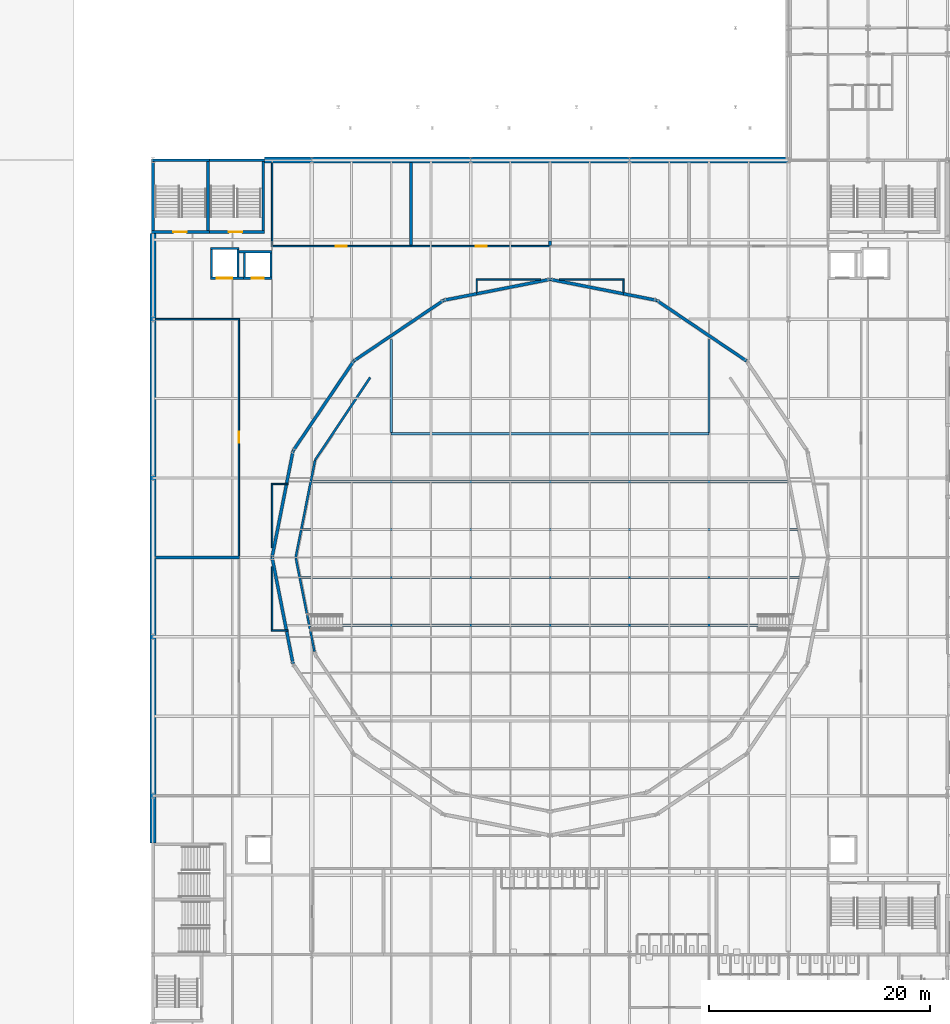
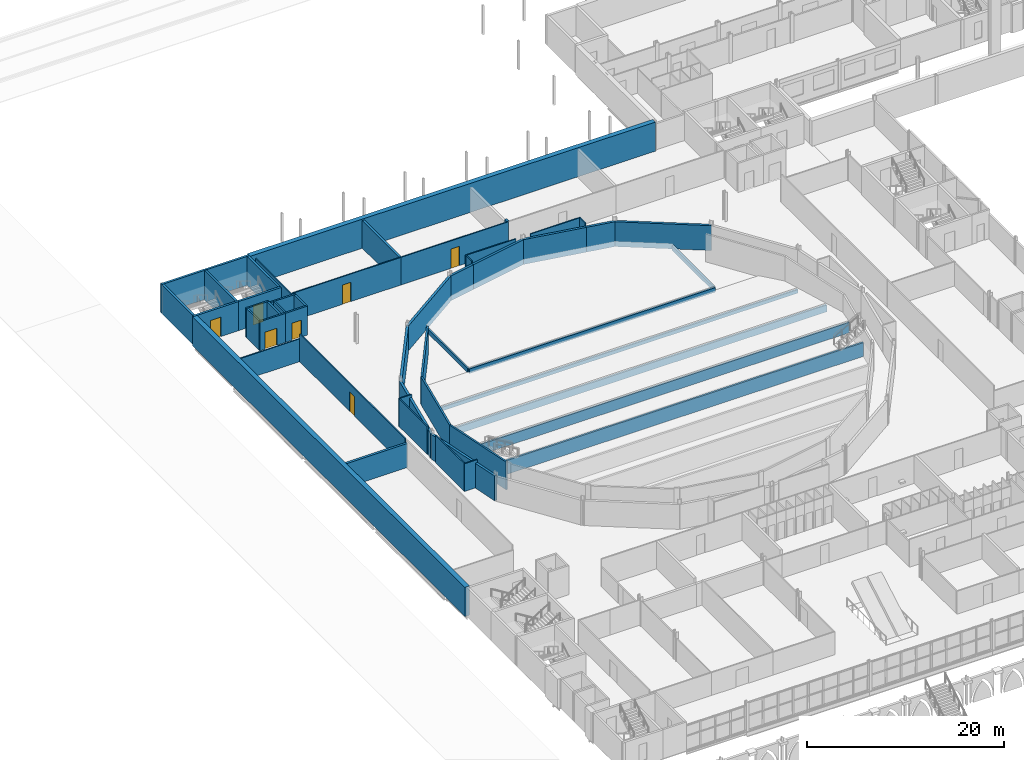
# One storey, part 51 of 90: 54 walls, 7 doors, 7 openings.
"""IFC4 building model written with IfcOpenShell, lengths in metres."""

import ifcopenshell
import ifcopenshell.guid

model = None  # the IFC model being written
_history = None  # IfcOwnerHistory: only IFC2X3 demands one
_inside = {}  # id of a spatial element -> (the spatial element, [elements in it])
_under = {}  # id of a project, library or spatial element -> (it, [spatial elements below it])
_declared = {}  # id of a project -> (the project, [libraries it declares])
_typed = {}  # id of a type object -> (the type object, [elements of that type])
_made_of = {}  # id of a material, layer set ... -> (it, [elements and type objects made of it])


def new_model(schema):
    """Start an empty IFC model of exactly this schema.

    Asked for "IFC4X3", IfcOpenShell would pick the latest addendum, in which some entities
    have other attributes; the version numbers below select the first issue.
    IFC2X3 requires an IfcOwnerHistory on every rooted entity: one is made here for all.
    """
    global model, _history
    if schema == "IFC4X3":
        model = ifcopenshell.file(schema_version=(4, 3, 0, 0))
    else:
        model = ifcopenshell.file(schema=schema)
    _inside.clear()
    _under.clear()
    _declared.clear()
    _typed.clear()
    _made_of.clear()
    _history = None
    if model.schema == "IFC2X3":
        org = make("IfcOrganization", Name="unknown")
        user = make(
            "IfcPersonAndOrganization",
            ThePerson=make("IfcPerson", FamilyName="unknown"),
            TheOrganization=org,
        )
        app = make(
            "IfcApplication",
            ApplicationDeveloper=org,
            Version="unknown",
            ApplicationFullName="unknown",
            ApplicationIdentifier="unknown",
        )
        _history = make(
            "IfcOwnerHistory",
            OwningUser=user,
            OwningApplication=app,
            ChangeAction="ADDED",
            CreationDate=0,
        )
    return model


def make(cls, **values):
    """One entity of the class cls with the attributes given. An attribute that is None is left unset."""
    return model.create_entity(
        cls, **{name: value for name, value in values.items() if value is not None}
    )


def rooted(cls, **values):
    """An entity with a GlobalId (a new one), such as an element, a storey or a relation."""
    return make(cls, GlobalId=ifcopenshell.guid.new(), OwnerHistory=_history, **values)


def si_unit(unit_type, name, prefix=None):
    """IfcSIUnit, for example si_unit("LENGTHUNIT", "METRE", prefix="MILLI")."""
    return make("IfcSIUnit", UnitType=unit_type, Prefix=prefix, Name=name)


def assignment(units):
    """IfcUnitAssignment: the units of a project."""
    return None if units is None else make("IfcUnitAssignment", Units=units)


def point(xyz):
    """IfcCartesianPoint."""
    return None if xyz is None else make("IfcCartesianPoint", Coordinates=xyz)


def direction(xyz):
    """IfcDirection."""
    return None if xyz is None else make("IfcDirection", DirectionRatios=xyz)


def frame(location, z_axis=None, x_axis=None):
    """IfcAxis2Placement3D, a coordinate frame: its origin and axes. An axis left out is left unset."""
    return make(
        "IfcAxis2Placement3D",
        Location=point(location),
        Axis=direction(z_axis),
        RefDirection=direction(x_axis),
    )


def frame_2d(location, x_axis=None):
    """IfcAxis2Placement2D, a coordinate frame in the plane: its origin and x axis."""
    return make(
        "IfcAxis2Placement2D", Location=point(location), RefDirection=direction(x_axis)
    )


def origin():
    """The frame at (0, 0, 0) with its axes left unset."""
    return frame((0.0, 0.0, 0.0))


def place(relative_to, where):
    """IfcLocalPlacement: puts the frame where relative to a parent placement (None: the world)."""
    return make(
        "IfcLocalPlacement", PlacementRelTo=relative_to, RelativePlacement=where
    )


def context(
    kind, dimensions, precision=None, world=None, true_north=None, identifier=None
):
    """IfcGeometricRepresentationContext, for example the 3D "Model" context."""
    return make(
        "IfcGeometricRepresentationContext",
        ContextIdentifier=identifier,
        ContextType=kind,
        CoordinateSpaceDimension=dimensions,
        Precision=precision,
        WorldCoordinateSystem=world,
        TrueNorth=true_north,
    )


def subcontext(parent, identifier, kind, view, scale=None):
    """IfcGeometricRepresentationSubContext, for example "Body" below "Model"."""
    return make(
        "IfcGeometricRepresentationSubContext",
        ContextIdentifier=identifier,
        ContextType=kind,
        ParentContext=parent,
        TargetScale=scale,
        TargetView=view,
    )


def project(units=None, contexts=None):
    """IfcProject with its units and contexts."""
    return rooted(
        "IfcProject",
        Name="project",
        RepresentationContexts=contexts,
        UnitsInContext=assignment(units),
    )


def spatial(cls, under=None, at=None, **own):
    """A site, building, storey or space (cls), placed at a placement, below another one or the project."""
    s = rooted(cls, ObjectPlacement=at, **own)
    if under is not None:
        _under.setdefault(under.id(), (under, []))[1].append(s)
    return s


def profile(cls, at=None, kind="AREA", **sizes):
    """A parametric profile (cls). Its sizes go by their IFC names, for example OverallWidth=200.0."""
    return make(cls, ProfileType=kind, Position=at, **sizes)


def rectangle(**sizes):
    """IfcRectangleProfileDef."""
    return profile("IfcRectangleProfileDef", **sizes)


def extrude(swept, where, along, depth):
    """IfcExtrudedAreaSolid: the profile swept, set in the frame where, extruded along a direction by depth."""
    return make(
        "IfcExtrudedAreaSolid",
        SweptArea=swept,
        Position=where,
        ExtrudedDirection=direction(along),
        Depth=depth,
    )


def shape(context_of_items, identifier, shape_type, items):
    """IfcShapeRepresentation: the items that make up one representation, for example the "Body"."""
    return make(
        "IfcShapeRepresentation",
        ContextOfItems=context_of_items,
        RepresentationIdentifier=identifier,
        RepresentationType=shape_type,
        Items=items,
    )


def material(Name=None, Category=None):
    """IfcMaterial."""
    return make("IfcMaterial", Name=Name, Category=Category)


def layer(
    of_material, thickness, ventilated=None, Name=None, Category=None, Priority=None
):
    """IfcMaterialLayer: one layer of a wall or slab, of a material (None: an air gap)."""
    return make(
        "IfcMaterialLayer",
        Material=of_material,
        LayerThickness=thickness,
        IsVentilated=ventilated,
        Name=Name,
        Category=Category,
        Priority=Priority,
    )


def layer_set(layers, Name=None):
    """IfcMaterialLayerSet."""
    return make("IfcMaterialLayerSet", MaterialLayers=layers, LayerSetName=Name)


def made_of(thing, what):
    """Note that an element or type object is made of a material, layer set ...; save() writes the relation."""
    if what is not None:
        _made_of.setdefault(what.id(), (what, []))[1].append(thing)
    return thing


def type_object(cls, material=None, **own):
    """A type object (cls), such as IfcWallType, which elements share."""
    return made_of(rooted(cls, **own), material)


def element(
    cls,
    number,
    at=None,
    inside=None,
    cuts=None,
    type_object=None,
    material=None,
    context=None,
    identifier="Body",
    shape_type=None,
    held_by="IfcProductDefinitionShape",
    body=None,
    shapes=None,
    **own,
):
    """One element of the class cls, such as IfcWall. Its Tag is "e" and its number.

    at: its placement. inside: the storey or other place that contains it. cuts: it is an
    opening in that element (IfcRelVoidsElement). A single representation is given by context,
    identifier, shape_type and body (its items); several are given by shapes. held_by: the class
    of the entity that holds the representations. save() writes the other relations.
    """
    e = rooted(cls, Tag="e%d" % number, ObjectPlacement=at, **own)
    if body is not None:
        shapes = [shape(context, identifier, shape_type, body)]
    if shapes is not None:
        e.Representation = make(held_by, Representations=shapes)
    if inside is not None:
        _inside.setdefault(inside.id(), (inside, []))[1].append(e)
    if cuts is not None:
        rooted(
            "IfcRelVoidsElement", RelatingBuildingElement=cuts, RelatedOpeningElement=e
        )
    if type_object is not None:
        _typed.setdefault(type_object.id(), (type_object, []))[1].append(e)
    return made_of(e, material)


def fill(opening, filler):
    """IfcRelFillsElement: the door or window that sits in an opening."""
    return rooted(
        "IfcRelFillsElement",
        RelatingOpeningElement=opening,
        RelatedBuildingElement=filler,
    )


def aggregate(whole, parts):
    """IfcRelAggregates: a whole, such as a stair, and the parts it consists of."""
    return rooted("IfcRelAggregates", RelatingObject=whole, RelatedObjects=parts)


def save(model, path):
    """Write the relations noted so far, then the file.

    IfcRelAggregates (storeys below a building ...), IfcRelContainedInSpatialStructure (elements
    in a storey), IfcRelDefinesByType, IfcRelAssociatesMaterial and IfcRelDeclares: one each for
    every whole, place, type object, material and project.
    """
    for whole, parts in _under.values():
        aggregate(whole, parts)
    for where, things in _inside.values():
        rooted(
            "IfcRelContainedInSpatialStructure",
            RelatedElements=things,
            RelatingStructure=where,
        )
    for kind, things in _typed.values():
        rooted("IfcRelDefinesByType", RelatedObjects=things, RelatingType=kind)
    for what, things in _made_of.values():
        rooted("IfcRelAssociatesMaterial", RelatedObjects=things, RelatingMaterial=what)
    for by, libraries in _declared.values():
        rooted("IfcRelDeclares", RelatingContext=by, RelatedDefinitions=libraries)
    model.write(path)


model = new_model("IFC4")

# Units and contexts
model_context = context("Model", 3, precision=1e-05, world=origin(), true_north=direction((0.0, 1.0)))
body_context = subcontext(model_context, "Body", "Model", "MODEL_VIEW")
ifc_project = project(units=[si_unit("LENGTHUNIT", "METRE"), si_unit("AREAUNIT", "SQUARE_METRE"), si_unit("VOLUMEUNIT", "CUBIC_METRE"), si_unit("PLANEANGLEUNIT", "RADIAN"), si_unit("MASSUNIT", "GRAM", prefix="KILO")], contexts=[model_context])

# Site, building, storey
site_placement = place(None, origin())
site = spatial("IfcSite", under=ifc_project, at=site_placement, CompositionType="ELEMENT")
building_placement = place(site_placement, origin())
building = spatial("IfcBuilding", under=site, at=building_placement, Name="Kupolbacken Congress Centre", CompositionType="ELEMENT")
storey_placement = place(building_placement, frame((0.0, 0.0, 3.60009765625)))
storey = spatial("IfcBuildingStorey", under=building, at=storey_placement, Name="L01", CompositionType="ELEMENT", Elevation=3.60009765625)

# Wall
ifc_material_1 = material(Name="Gypsum board", Category="drywall")
ifc_layer_1 = layer(ifc_material_1, 0.135009765625)
ifc_layer_set_1 = layer_set([ifc_layer_1], Name="Gypsum board")
wall_type_1 = type_object("IfcWallType", Name="P06 compartment wall 135", PredefinedType="PARTITIONING", material=ifc_layer_set_1)
wall_1_placement = place(storey_placement, frame((18.0, 122.179931640625, 0.0), z_axis=(0.0, 0.0, 1.0), x_axis=(0.0, -1.0, 0.0)))
element("IfcWall", 1, at=wall_1_placement, inside=storey, type_object=wall_type_1, Name="PD/L01/W006", PredefinedType="PARTITIONING", context=body_context, shape_type="SweptSolid", body=[
    extrude(rectangle(XDim=7.512451171875, YDim=0.135009765625, at=frame_2d((3.75634765625, 0.0))), origin(), (0.0, 0.0, 1.0), 3.119873046875),
])

# Wall, opening, door
wall_2_placement = place(storey_placement, frame((30.60009765625, 114.60009765625, 0.0), z_axis=(0.0, 0.0, 1.0), x_axis=(-1.0, 0.0, 0.0)))
wall_2 = element("IfcWall", 2, at=wall_2_placement, inside=storey, type_object=wall_type_1, Name="PD/L01/W056", PredefinedType="PARTITIONING", context=body_context, shape_type="SweptSolid", body=[
    extrude(rectangle(XDim=12.66748046875, YDim=0.135009765625, at=frame_2d((6.333740234375, 0.0))), origin(), (0.0, 0.0, 1.0), 3.419921875),
])
opening_1_placement = place(wall_2_placement, frame((5.85009765625, 0.0, 0.0)))
opening_1 = element("IfcOpeningElement", 3, at=opening_1_placement, cuts=wall_2, Name="Opening 1.P09", PredefinedType="OPENING", context=body_context, shape_type="SweptSolid", body=[
    extrude(rectangle(XDim=1.0, YDim=2.39990234375, at=frame_2d((0.5, 1.199951171875))), frame((0.0, 0.077392578125, 0.0), z_axis=(0.0, -1.0, 0.0), x_axis=(1.0, 0.0, 0.0)), (0.0, 0.0, 1.0), 0.155029296875),
])
ifc_material_2 = material(Name="Steel fire door leaf", Category="steel")
door_type_1 = type_object("IfcDoorType", Name="D8 fire door 1000x2400", OperationType="SINGLE_SWING_LEFT", PredefinedType="DOOR", material=ifc_material_2)
door_1_placement = place(opening_1_placement, frame((1.0, 0.0, 0.0), z_axis=(0.0, 0.0, 1.0), x_axis=(-1.0, 0.0, 0.0)))
door_1 = element("IfcDoor", 4, at=door_1_placement, inside=storey, type_object=door_type_1, Name="PD/L01/W056/D1P09", OperationType="SINGLE_SWING_RIGHT", OverallHeight=2.39990234375, OverallWidth=1.0, PredefinedType="DOOR", context=body_context, shape_type="SweptSolid", body=[
    extrude(rectangle(XDim=1.0, YDim=2.39990234375, at=frame_2d((0.5, 1.199951171875))), frame((0.0, 0.02490234375, 0.0), z_axis=(0.0, -1.0, 0.0), x_axis=(1.0, 0.0, 0.0)), (0.0, 0.0, 1.0), 0.050048828125),
])
fill(opening_1, door_1)

wall_3_placement = place(storey_placement, frame((43.199951171875, 114.60009765625, 0.0), z_axis=(0.0, 0.0, 1.0), x_axis=(-1.0, 0.0, 0.0)))
wall_3 = element("IfcWall", 5, at=wall_3_placement, inside=storey, type_object=wall_type_1, Name="PD/L01/W058", PredefinedType="PARTITIONING", context=body_context, shape_type="SweptSolid", body=[
    extrude(rectangle(XDim=12.599853515625, YDim=0.135009765625, at=frame_2d((6.2998046875, 0.0))), origin(), (0.0, 0.0, 1.0), 3.419921875),
])
opening_2_placement = place(wall_3_placement, frame((5.75, 0.0, 0.0)))
opening_2 = element("IfcOpeningElement", 6, at=opening_2_placement, cuts=wall_3, Name="Opening 1.P10", PredefinedType="OPENING", context=body_context, shape_type="SweptSolid", body=[
    extrude(rectangle(XDim=1.0, YDim=2.39990234375, at=frame_2d((0.5, 1.199951171875))), frame((0.0, 0.077392578125, 0.0), z_axis=(0.0, -1.0, 0.0), x_axis=(1.0, 0.0, 0.0)), (0.0, 0.0, 1.0), 0.155029296875),
])
door_2_placement = place(opening_2_placement, frame((1.0, 0.0, 0.0), z_axis=(0.0, 0.0, 1.0), x_axis=(-1.0, 0.0, 0.0)))
door_2 = element("IfcDoor", 7, at=door_2_placement, inside=storey, type_object=door_type_1, Name="PD/L01/W058/D1P10", OperationType="SINGLE_SWING_LEFT", OverallHeight=2.39990234375, OverallWidth=1.0, PredefinedType="DOOR", context=body_context, shape_type="SweptSolid", body=[
    extrude(rectangle(XDim=1.0, YDim=2.39990234375, at=frame_2d((0.5, 1.199951171875))), frame((0.0, 0.02490234375, 0.0), z_axis=(0.0, -1.0, 0.0), x_axis=(1.0, 0.0, 0.0)), (0.0, 0.0, 1.0), 0.050048828125),
])
fill(opening_2, door_2)

# Wall
wall_4_placement = place(storey_placement, frame((7.419921875, 108.0, 0.0), z_axis=(0.0, 0.0, 1.0), x_axis=(1.0, 0.0, 0.0)))
element("IfcWall", 8, at=wall_4_placement, inside=storey, type_object=wall_type_1, Name="PD/L01/W065", PredefinedType="PARTITIONING", context=body_context, shape_type="SweptSolid", body=[
    extrude(rectangle(XDim=7.6474609375, YDim=0.135009765625, at=frame_2d((3.82373046875, 0.0))), origin(), (0.0, 0.0, 1.0), 2.81982421875),
])

# Wall, opening, door
wall_5_placement = place(storey_placement, frame((15.0, 107.9326171875, 0.0), z_axis=(0.0, 0.0, 1.0), x_axis=(0.0, -1.0, 0.0)))
wall_5 = element("IfcWall", 9, at=wall_5_placement, inside=storey, type_object=wall_type_1, Name="PD/L01/W066", PredefinedType="PARTITIONING", context=body_context, shape_type="SweptSolid", body=[
    extrude(rectangle(XDim=21.39501953125, YDim=0.135009765625, at=frame_2d((10.697509765625, 0.0))), origin(), (0.0, 0.0, 1.0), 3.419921875),
])
opening_3_placement = place(wall_5_placement, frame((10.14990234375, 0.0, 0.0)))
opening_3 = element("IfcOpeningElement", 10, at=opening_3_placement, cuts=wall_5, Name="Opening 1.P14", PredefinedType="OPENING", context=body_context, shape_type="SweptSolid", body=[
    extrude(rectangle(XDim=1.0, YDim=2.39990234375, at=frame_2d((0.5, 1.199951171875))), frame((0.0, 0.077392578125, 0.0), z_axis=(0.0, -1.0, 0.0), x_axis=(1.0, 0.0, 0.0)), (0.0, 0.0, 1.0), 0.155029296875),
])
door_3_placement = place(opening_3_placement, origin())
door_3 = element("IfcDoor", 11, at=door_3_placement, inside=storey, type_object=door_type_1, Name="PD/L01/W066/D1P14", OperationType="SINGLE_SWING_RIGHT", OverallHeight=2.39990234375, OverallWidth=1.0, PredefinedType="DOOR", context=body_context, shape_type="SweptSolid", body=[
    extrude(rectangle(XDim=1.0, YDim=2.39990234375, at=frame_2d((0.5, 1.199951171875))), frame((0.0, 0.02490234375, 0.0), z_axis=(0.0, -1.0, 0.0), x_axis=(1.0, 0.0, 0.0)), (0.0, 0.0, 1.0), 0.050048828125),
])
fill(opening_3, door_3)

# Walls
wall_6_placement = place(storey_placement, frame((18.0, 85.550048828125, 0.0), z_axis=(0.0, 0.0, 1.0), x_axis=(0.0, -1.0, 0.0)))
element("IfcWall", 12, at=wall_6_placement, inside=storey, type_object=wall_type_1, Name="PD/L01/W082", PredefinedType="PARTITIONING", context=body_context, shape_type="SweptSolid", body=[
    extrude(rectangle(XDim=5.732666015625, YDim=0.135009765625, at=frame_2d((2.8662109375, 0.0))), origin(), (0.0, 0.0, 1.0), 3.419921875),
])
wall_7_placement = place(storey_placement, frame((18.0, 92.982421875, 0.0), z_axis=(0.0, 0.0, 1.0), x_axis=(0.0, -1.0, 0.0)))
element("IfcWall", 13, at=wall_7_placement, inside=storey, type_object=wall_type_1, Name="PD/L01/W083", PredefinedType="PARTITIONING", context=body_context, shape_type="SweptSolid", body=[
    extrude(rectangle(XDim=5.732421875, YDim=0.135009765625, at=frame_2d((2.8662109375, 0.0))), origin(), (0.0, 0.0, 1.0), 3.419921875),
])
wall_8_placement = place(storey_placement, frame((42.35009765625, 111.60009765625, 0.0), z_axis=(0.0, 0.0, 1.0), x_axis=(-1.0, 0.0, 0.0)))
element("IfcWall", 14, at=wall_8_placement, inside=storey, type_object=wall_type_1, Name="PD/L01/W084", PredefinedType="PARTITIONING", context=body_context, shape_type="SweptSolid", body=[
    extrude(rectangle(XDim=5.86767578125, YDim=0.135009765625, at=frame_2d((2.933837890625, 0.0))), origin(), (0.0, 0.0, 1.0), 3.419921875),
])
wall_9_placement = place(storey_placement, frame((49.91748046875, 111.60009765625, 0.0), z_axis=(0.0, 0.0, 1.0), x_axis=(-1.0, 0.0, 0.0)))
element("IfcWall", 15, at=wall_9_placement, inside=storey, type_object=wall_type_1, Name="PD/L01/W085", PredefinedType="PARTITIONING", context=body_context, shape_type="SweptSolid", body=[
    extrude(rectangle(XDim=5.867431640625, YDim=0.135009765625, at=frame_2d((2.93359375, 0.0))), origin(), (0.0, 0.0, 1.0), 3.419921875),
])
wall_10_placement = place(storey_placement, frame((17.9326171875, 79.75, 0.0), z_axis=(0.0, 0.0, 1.0), x_axis=(1.0, 0.0, 0.0)))
element("IfcWall", 16, at=wall_10_placement, inside=storey, type_object=wall_type_1, Name="PD/L01/W091", PredefinedType="PARTITIONING", context=body_context, shape_type="SweptSolid", body=[
    extrude(rectangle(XDim=1.51416015625, YDim=0.135009765625, at=frame_2d((0.757080078125, 0.0))), origin(), (0.0, 0.0, 1.0), 3.419921875),
])
wall_11_placement = place(storey_placement, frame((36.550048828125, 111.532470703125, 0.0), z_axis=(0.0, 0.0, 1.0), x_axis=(0.0, -1.0, 0.0)))
element("IfcWall", 17, at=wall_11_placement, inside=storey, type_object=wall_type_1, Name="PD/L01/W106", PredefinedType="PARTITIONING", context=body_context, shape_type="SweptSolid", body=[
    extrude(rectangle(XDim=1.104248046875, YDim=0.135009765625, at=frame_2d((0.55224609375, 0.0))), origin(), (0.0, 0.0, 1.0), 3.419921875),
])
wall_12_placement = place(storey_placement, frame((19.44677734375, 93.050048828125, 0.0), z_axis=(0.0, 0.0, 1.0), x_axis=(-1.0, 0.0, 0.0)))
element("IfcWall", 18, at=wall_12_placement, inside=storey, type_object=wall_type_1, Name="PD/L01/W107", PredefinedType="PARTITIONING", context=body_context, shape_type="SweptSolid", body=[
    extrude(rectangle(XDim=1.51416015625, YDim=0.135009765625, at=frame_2d((0.757080078125, 0.0))), origin(), (0.0, 0.0, 1.0), 3.419921875),
])
wall_13_placement = place(storey_placement, frame((49.85009765625, 110.42822265625, 0.0), z_axis=(0.0, 0.0, 1.0), x_axis=(0.0, 1.0, 0.0)))
element("IfcWall", 19, at=wall_13_placement, inside=storey, type_object=wall_type_1, Name="PD/L01/W115", PredefinedType="PARTITIONING", context=body_context, shape_type="SweptSolid", body=[
    extrude(rectangle(XDim=1.104248046875, YDim=0.135009765625, at=frame_2d((0.55224609375, 0.0))), origin(), (0.0, 0.0, 1.0), 3.419921875),
])
ifc_material_3 = material(Name="Gypsum board", Category="drywall")
ifc_layer_2 = layer(ifc_material_3, 0.27490234375)
ifc_layer_set_2 = layer_set([ifc_layer_2], Name="Gypsum board")
wall_type_2 = type_object("IfcWallType", Name="P12 partition 275", PredefinedType="PARTITIONING", material=ifc_layer_set_2)
wall_14_placement = place(storey_placement, frame((30.60009765625, 122.179931640625, 0.0), z_axis=(0.0, 0.0, 1.0), x_axis=(0.0, -1.0, 0.0)))
element("IfcWall", 20, at=wall_14_placement, inside=storey, type_object=wall_type_2, Name="PD/L01/W055", PredefinedType="PARTITIONING", context=body_context, shape_type="SweptSolid", body=[
    extrude(rectangle(XDim=7.512451171875, YDim=0.27490234375, at=frame_2d((3.75634765625, 0.0))), origin(), (0.0, 0.0, 1.0), 3.419921875),
])
wall_15_placement = place(storey_placement, frame((7.419921875, 86.39990234375, 0.0), z_axis=(0.0, 0.0, 1.0), x_axis=(1.0, 0.0, 0.0)))
element("IfcWall", 21, at=wall_15_placement, inside=storey, type_object=wall_type_2, Name="PD/L01/W062", PredefinedType="PARTITIONING", context=body_context, shape_type="SweptSolid", body=[
    extrude(rectangle(XDim=7.6474609375, YDim=0.27490234375, at=frame_2d((3.82373046875, 0.0))), origin(), (0.0, 0.0, 1.0), 2.969970703125),
])
wall_16_placement = place(storey_placement, frame((19.322265625, 79.683837890625, 0.0), z_axis=(0.0, 0.0, 1.0), x_axis=(0.193179069745, -0.98116351696, 0.0)))
element("IfcWall", 22, at=wall_16_placement, inside=storey, type_object=wall_type_2, Name="PD/L01/W093", PredefinedType="PARTITIONING", context=body_context, shape_type="SweptSolid", body=[
    extrude(rectangle(XDim=2.990234375, YDim=0.27490234375, at=frame_2d((1.4951171875, 0.0))), origin(), (0.0, 0.0, 1.0), 3.06982421875),
])
wall_17_placement = place(storey_placement, frame((18.0, 86.39990234375, 0.0), z_axis=(0.0, 0.0, 1.0), x_axis=(0.193197572226, -0.981159873867, 0.0)))
element("IfcWall", 23, at=wall_17_placement, inside=storey, type_object=wall_type_2, Name="PD/L01/W097", PredefinedType="PARTITIONING", context=body_context, shape_type="SweptSolid", body=[
    extrude(rectangle(XDim=6.710205078125, YDim=0.27490234375, at=frame_2d((3.35498046875, 0.0))), origin(), (0.0, 0.0, 1.0), 3.06982421875),
])
wall_18_placement = place(storey_placement, frame((19.89990234375, 96.050048828125, 0.0), z_axis=(0.0, 0.0, 1.0), x_axis=(-0.193179069745, -0.98116351696, 0.0)))
element("IfcWall", 24, at=wall_18_placement, inside=storey, type_object=wall_type_2, Name="PD/L01/W108", PredefinedType="PARTITIONING", context=body_context, shape_type="SweptSolid", body=[
    extrude(rectangle(XDim=2.990234375, YDim=0.27490234375, at=frame_2d((1.4951171875, 0.0))), origin(), (0.0, 0.0, 1.0), 3.06982421875),
])
wall_19_placement = place(storey_placement, frame((36.550048828125, 110.290771484375, 0.0), z_axis=(0.0, 0.0, 1.0), x_axis=(-0.981153778086, -0.19322852726, 0.0)))
element("IfcWall", 25, at=wall_19_placement, inside=storey, type_object=wall_type_2, Name="PD/L01/W109", PredefinedType="PARTITIONING", context=body_context, shape_type="SweptSolid", body=[
    extrude(rectangle(XDim=3.0576171875, YDim=0.27490234375, at=frame_2d((1.52880859375, 0.0))), origin(), (0.0, 0.0, 1.0), 3.06982421875),
])
wall_20_placement = place(storey_placement, frame((33.550048828125, 109.699951171875, 0.0), z_axis=(0.0, 0.0, 1.0), x_axis=(-0.828912285216, -0.559378604719, 0.0)))
element("IfcWall", 26, at=wall_20_placement, inside=storey, type_object=wall_type_2, Name="PD/L01/W110", PredefinedType="PARTITIONING", context=body_context, shape_type="SweptSolid", body=[
    extrude(rectangle(XDim=9.832275390625, YDim=0.27490234375, at=frame_2d((4.916015625, 0.0))), origin(), (0.0, 0.0, 1.0), 3.06982421875),
])
wall_21_placement = place(storey_placement, frame((25.39990234375, 104.199951171875, 0.0), z_axis=(0.0, 0.0, 1.0), x_axis=(-0.559390118145, -0.828904515443, 0.0)))
element("IfcWall", 27, at=wall_21_placement, inside=storey, type_object=wall_type_2, Name="PD/L01/W111", PredefinedType="PARTITIONING", context=body_context, shape_type="SweptSolid", body=[
    extrude(rectangle(XDim=9.83203125, YDim=0.27490234375, at=frame_2d((4.916015625, 0.0))), origin(), (0.0, 0.0, 1.0), 3.06982421875),
])
wall_22_placement = place(storey_placement, frame((43.199951171875, 111.60009765625, 0.0), z_axis=(0.0, 0.0, 1.0), x_axis=(-0.981162344826, -0.193185022957, 0.0)))
element("IfcWall", 28, at=wall_22_placement, inside=storey, type_object=wall_type_2, Name="PD/L01/W112", PredefinedType="PARTITIONING", context=body_context, shape_type="SweptSolid", body=[
    extrude(rectangle(XDim=6.777587890625, YDim=0.27490234375, at=frame_2d((3.388671875, 0.0))), origin(), (0.0, 0.0, 1.0), 3.06982421875),
])
wall_23_placement = place(storey_placement, frame((19.29638671875, 92.98388671875, 0.0), z_axis=(0.0, 0.0, 1.0), x_axis=(-0.193190675653, -0.981161231827, 0.0)))
element("IfcWall", 29, at=wall_23_placement, inside=storey, type_object=wall_type_2, Name="PD/L01/W113", PredefinedType="PARTITIONING", context=body_context, shape_type="SweptSolid", body=[
    extrude(rectangle(XDim=6.71044921875, YDim=0.27490234375, at=frame_2d((3.355224609375, 0.0))), origin(), (0.0, 0.0, 1.0), 3.06982421875),
])
wall_24_placement = place(storey_placement, frame((61.0, 104.199951171875, 0.0), z_axis=(0.0, 0.0, 1.0), x_axis=(-0.828904515443, 0.559390118145, 0.0)))
element("IfcWall", 30, at=wall_24_placement, inside=storey, type_object=wall_type_2, Name="PD/L01/W116", PredefinedType="PARTITIONING", context=body_context, shape_type="SweptSolid", body=[
    extrude(rectangle(XDim=9.83203125, YDim=0.27490234375, at=frame_2d((4.916015625, 0.0))), origin(), (0.0, 0.0, 1.0), 3.06982421875),
])
wall_25_placement = place(storey_placement, frame((52.85009765625, 109.699951171875, 0.0), z_axis=(0.0, 0.0, 1.0), x_axis=(-0.981153778086, 0.19322852726, 0.0)))
element("IfcWall", 31, at=wall_25_placement, inside=storey, type_object=wall_type_2, Name="PD/L01/W117", PredefinedType="PARTITIONING", context=body_context, shape_type="SweptSolid", body=[
    extrude(rectangle(XDim=3.0576171875, YDim=0.27490234375, at=frame_2d((1.52880859375, 0.0))), origin(), (0.0, 0.0, 1.0), 3.06982421875),
])
wall_26_placement = place(storey_placement, frame((49.85009765625, 110.290771484375, 0.0), z_axis=(0.0, 0.0, 1.0), x_axis=(-0.981163689106, 0.193178195406, 0.0)))
element("IfcWall", 32, at=wall_26_placement, inside=storey, type_object=wall_type_2, Name="PD/L01/W121", PredefinedType="PARTITIONING", context=body_context, shape_type="SweptSolid", body=[
    extrude(rectangle(XDim=6.77783203125, YDim=0.27490234375, at=frame_2d((3.388916015625, 0.0))), origin(), (0.0, 0.0, 1.0), 3.06982421875),
])
wall_27_placement = place(storey_placement, frame((43.199951171875, 115.090087890625, 0.0), z_axis=(0.0, 0.0, 1.0), x_axis=(0.0, -1.0, 0.0)))
element("IfcWall", 33, at=wall_27_placement, inside=storey, type_object=wall_type_2, Name="PD/L01/W057.h1", PredefinedType="PARTITIONING", context=body_context, shape_type="SweptSolid", body=[
    extrude(rectangle(XDim=0.422607421875, YDim=0.27490234375, at=frame_2d((0.21142578125, 0.0))), origin(), (0.0, 0.0, 1.0), 3.419921875),
])
ifc_material_4 = material(Name="Concrete C30/37", Category="concrete")
ifc_layer_3 = layer(ifc_material_4, 0.550048828125)
ifc_layer_set_3 = layer_set([ifc_layer_3], Name="Concrete C30/37")
wall_type_3 = type_object("IfcWallType", Name="RW3 retaining wall 550", PredefinedType="SOLIDWALL", material=ifc_layer_set_3)
wall_28_placement = place(storey_placement, frame((17.324951171875, 122.39990234375, 0.0), z_axis=(0.0, 0.0, 1.0), x_axis=(1.0, 0.0, 0.0)))
element("IfcWall", 34, at=wall_28_placement, inside=storey, type_object=wall_type_3, Name="Retaining wall BF07 L01", PredefinedType="SOLIDWALL", context=body_context, shape_type="SweptSolid", body=[
    extrude(rectangle(XDim=47.47509765625, YDim=0.550048828125, at=frame_2d((23.737548828125, 0.0))), origin(), (0.0, 0.0, 1.0), 3.599853515625),
])
wall_29_placement = place(storey_placement, frame((7.199951171875, 60.52490234375, 0.0), z_axis=(0.0, 0.0, 1.0), x_axis=(0.0, 1.0, 0.0)))
element("IfcWall", 35, at=wall_29_placement, inside=storey, type_object=wall_type_3, Name="Retaining wall BF08 L01", PredefinedType="SOLIDWALL", context=body_context, shape_type="SweptSolid", body=[
    extrude(rectangle(XDim=55.25, YDim=0.550048828125, at=frame_2d((27.625, 0.0))), origin(), (0.0, 0.0, 1.0), 3.599853515625),
])
ifc_material_5 = material(Name="Concrete C40/50", Category="concrete")
ifc_layer_4 = layer(ifc_material_5, 0.199951171875)
ifc_layer_set_4 = layer_set([ifc_layer_4], Name="Concrete C40/50")
wall_type_4 = type_object("IfcWallType", Name="TW1 RC tier wall 200", PredefinedType="SOLIDWALL", material=ifc_layer_set_4)
wall_30_placement = place(storey_placement, frame((26.89501953125, 102.705078125, 0.0), z_axis=(0.0, 0.0, 1.0), x_axis=(-0.555564045645, -0.83147374654, 0.0)))
element("IfcWall", 36, at=wall_30_placement, inside=storey, type_object=wall_type_4, Name="PD/L01/ringwall/1350", PredefinedType="SOLIDWALL", context=body_context, shape_type="SweptSolid", body=[
    extrude(rectangle(XDim=8.997314453125, YDim=0.199951171875, at=frame_2d((4.49853515625, 0.0))), origin(), (0.0, 0.0, 1.0), 3.431884765625),
])
wall_31_placement = place(storey_placement, frame((21.896484375, 95.22412109375, 0.0), z_axis=(0.0, 0.0, 1.0), x_axis=(-0.195103670716, -0.980782625087, 0.0)))
element("IfcWall", 37, at=wall_31_placement, inside=storey, type_object=wall_type_4, Name="PD/L01/ringwall/1575", PredefinedType="SOLIDWALL", context=body_context, shape_type="SweptSolid", body=[
    extrude(rectangle(XDim=8.9970703125, YDim=0.199951171875, at=frame_2d((4.49853515625, 0.0))), origin(), (0.0, 0.0, 1.0), 3.431884765625),
])
wall_32_placement = place(storey_placement, frame((20.14111328125, 86.39990234375, 0.0), z_axis=(0.0, 0.0, 1.0), x_axis=(0.195081260767, -0.980787082754, 0.0)))
element("IfcWall", 38, at=wall_32_placement, inside=storey, type_object=wall_type_4, Name="PD/L01/ringwall/1800", PredefinedType="SOLIDWALL", context=body_context, shape_type="SweptSolid", body=[
    extrude(rectangle(XDim=8.711669921875, YDim=0.199951171875, at=frame_2d((4.35595703125, 0.0))), origin(), (0.0, 0.0, 1.0), 3.431884765625),
])
wall_33_placement = place(storey_placement, frame((21.61767578125, 93.261962890625, 0.0), z_axis=(0.0, 0.0, 1.0), x_axis=(1.0, 0.0, 0.0)))
element("IfcWall", 39, at=wall_33_placement, inside=storey, type_object=wall_type_4, Name="PD/L01/tier/wall1/1", PredefinedType="SOLIDWALL", context=body_context, shape_type="SweptSolid", body=[
    extrude(rectangle(XDim=43.16455078125, YDim=0.199951171875, at=frame_2d((21.582275390625, 0.0))), origin(), (0.0, 0.0, 1.0), 0.438232421875),
])
wall_34_placement = place(storey_placement, frame((20.755126953125, 88.925048828125, 0.0), z_axis=(0.0, 0.0, 1.0), x_axis=(1.0, 0.0, 0.0)))
element("IfcWall", 40, at=wall_34_placement, inside=storey, type_object=wall_type_4, Name="PD/L01/tier/wall2/1", PredefinedType="SOLIDWALL", context=body_context, shape_type="SweptSolid", body=[
    extrude(rectangle(XDim=44.889892578125, YDim=0.199951171875, at=frame_2d((22.44482421875, 0.0))), origin(), (0.0, 0.0, 1.0), 0.864501953125),
])
wall_35_placement = place(storey_placement, frame((20.613525390625, 84.5869140625, 0.0), z_axis=(0.0, 0.0, 1.0), x_axis=(1.0, 0.0, 0.0)))
element("IfcWall", 41, at=wall_35_placement, inside=storey, type_object=wall_type_4, Name="PD/L01/tier/wall3/1", PredefinedType="SOLIDWALL", context=body_context, shape_type="SweptSolid", body=[
    extrude(rectangle(XDim=45.173095703125, YDim=0.199951171875, at=frame_2d((22.58642578125, 0.0))), origin(), (0.0, 0.0, 1.0), 1.290771484375),
])
wall_36_placement = place(storey_placement, frame((21.47607421875, 80.25, 0.0), z_axis=(0.0, 0.0, 1.0), x_axis=(1.0, 0.0, 0.0)))
element("IfcWall", 42, at=wall_36_placement, inside=storey, type_object=wall_type_4, Name="PD/L01/tier/wall4/1", PredefinedType="SOLIDWALL", context=body_context, shape_type="SweptSolid", body=[
    extrude(rectangle(XDim=43.44775390625, YDim=0.199951171875, at=frame_2d((21.723876953125, 0.0))), origin(), (0.0, 0.0, 1.0), 1.716796875),
])
wall_37_placement = place(storey_placement, frame((28.800048828125, 97.60009765625, 0.0), z_axis=(0.0, 0.0, 1.0), x_axis=(1.0, 0.0, 0.0)))
element("IfcWall", 43, at=wall_37_placement, inside=storey, type_object=wall_type_4, Name="PD/L01/stage/front", PredefinedType="SOLIDWALL", context=body_context, shape_type="SweptSolid", body=[
    extrude(rectangle(XDim=28.800048828125, YDim=0.199951171875, at=frame_2d((14.39990234375, 0.0))), origin(), (0.0, 0.0, 1.0), 0.552001953125),
])
for number, where, z_axis, x_axis, name in (
    (44, (28.800048828125, 97.699951171875, 0.0), (0.0, 0.0, 1.0), (0.0, 1.0, 0.0), "PD/L01/stage/w"),
    (45, (57.60009765625, 97.699951171875, 0.0), (0.0, 0.0, 1.0), (0.0, 1.0, 0.0), "PD/L01/stage/e"),
):
    element("IfcWall", number, at=place(storey_placement, frame(where, z_axis=z_axis, x_axis=x_axis)), inside=storey, type_object=wall_type_4, Name=name, PredefinedType="SOLIDWALL", context=body_context, shape_type="SweptSolid", body=[
        extrude(rectangle(XDim=8.451416015625, YDim=0.199951171875, at=frame_2d((4.2255859375, 0.0))), origin(), (0.0, 0.0, 1.0), 0.552001953125),
    ])

# Wall, opening, door
ifc_material_6 = material(Name="Concrete C40/50", Category="concrete")
ifc_layer_5 = layer(ifc_material_6, 0.199951171875)
ifc_layer_set_5 = layer_set([ifc_layer_5], Name="Concrete C40/50")
wall_type_5 = type_object("IfcWallType", Name="WC1 RC shaft wall 200", PredefinedType="SHEAR", material=ifc_layer_set_5)
wall_38_placement = place(storey_placement, frame((15.39990234375, 111.699951171875, 0.0), z_axis=(0.0, 0.0, 1.0), x_axis=(1.0, 0.0, 0.0)))
wall_38 = element("IfcWall", 46, at=wall_38_placement, inside=storey, type_object=wall_type_5, Name="Shaft wall LP7", PredefinedType="SHEAR", context=body_context, shape_type="SweptSolid", body=[
    extrude(rectangle(XDim=2.60009765625, YDim=0.199951171875, at=frame_2d((1.300048828125, 0.0))), origin(), (0.0, 0.0, 1.0), 3.599853515625),
])
opening_4_placement = place(wall_38_placement, frame((0.75, 0.0, 0.0)))
opening_4 = element("IfcOpeningElement", 47, at=opening_4_placement, cuts=wall_38, Name="Opening LD2", PredefinedType="OPENING", context=body_context, shape_type="SweptSolid", body=[
    extrude(rectangle(XDim=1.10009765625, YDim=2.10009765625, at=frame_2d((0.550048828125, 1.050048828125))), frame((0.0, 0.10986328125, 0.0), z_axis=(0.0, -1.0, 0.0), x_axis=(1.0, 0.0, 0.0)), (0.0, 0.0, 1.0), 0.219970703125),
])
ifc_material_7 = material(Name="Stainless steel door leaf", Category="steel")
door_type_2 = type_object("IfcDoorType", Name="LD2 lift landing door 1100x2100", OperationType="SLIDING_TO_LEFT", PredefinedType="DOOR", material=ifc_material_7)
door_4_placement = place(opening_4_placement, origin())
door_4 = element("IfcDoor", 48, at=door_4_placement, inside=storey, type_object=door_type_2, Name="Lift landing door LP7", OperationType="SLIDING_TO_LEFT", OverallHeight=2.10009765625, OverallWidth=1.10009765625, PredefinedType="DOOR", context=body_context, shape_type="SweptSolid", body=[
    extrude(rectangle(XDim=1.10009765625, YDim=2.10009765625, at=frame_2d((0.550048828125, 1.050048828125))), frame((0.0, 0.02490234375, 0.0), z_axis=(0.0, -1.0, 0.0), x_axis=(1.0, 0.0, 0.0)), (0.0, 0.0, 1.0), 0.050048828125),
])
fill(opening_4, door_4)

# Walls
wall_39_placement = place(storey_placement, frame((15.0, 114.10009765625, 0.0), z_axis=(0.0, 0.0, 1.0), x_axis=(1.0, 0.0, 0.0)))
element("IfcWall", 49, at=wall_39_placement, inside=storey, type_object=wall_type_5, Name="Shaft wall LP7", PredefinedType="SHEAR", context=body_context, shape_type="SweptSolid", body=[
    extrude(rectangle(XDim=3.0, YDim=0.199951171875, at=frame_2d((1.5, 0.0))), origin(), (0.0, 0.0, 1.0), 3.599853515625),
])
for number, where, z_axis, x_axis, name in (
    (50, (15.5, 111.800048828125, 0.0), (0.0, 0.0, 1.0), (0.0, 1.0, 0.0), "Shaft wall LP7"),
    (51, (17.89990234375, 111.800048828125, 0.0), (0.0, 0.0, 1.0), (0.0, 1.0, 0.0), "Shaft wall LP7"),
):
    element("IfcWall", number, at=place(storey_placement, frame(where, z_axis=z_axis, x_axis=x_axis)), inside=storey, type_object=wall_type_5, Name=name, PredefinedType="SHEAR", context=body_context, shape_type="SweptSolid", body=[
        extrude(rectangle(XDim=2.199951171875, YDim=0.199951171875, at=frame_2d((1.10009765625, 0.0))), origin(), (0.0, 0.0, 1.0), 3.599853515625),
    ])

# Wall, opening, door
wall_40_placement = place(storey_placement, frame((12.39990234375, 111.699951171875, 0.0), z_axis=(0.0, 0.0, 1.0), x_axis=(1.0, 0.0, 0.0)))
wall_40 = element("IfcWall", 52, at=wall_40_placement, inside=storey, type_object=wall_type_5, Name="Shaft wall LG1", PredefinedType="SHEAR", context=body_context, shape_type="SweptSolid", body=[
    extrude(rectangle(XDim=3.0, YDim=0.199951171875, at=frame_2d((1.5, 0.0))), origin(), (0.0, 0.0, 1.0), 3.599853515625),
])
opening_5_placement = place(wall_40_placement, frame((0.60009765625, 0.0, 0.0)))
opening_5 = element("IfcOpeningElement", 53, at=opening_5_placement, cuts=wall_40, Name="Opening LD3", PredefinedType="OPENING", context=body_context, shape_type="SweptSolid", body=[
    extrude(rectangle(XDim=1.39990234375, YDim=2.10009765625, at=frame_2d((0.699951171875, 1.050048828125))), frame((0.0, 0.10986328125, 0.0), z_axis=(0.0, -1.0, 0.0), x_axis=(1.0, 0.0, 0.0)), (0.0, 0.0, 1.0), 0.219970703125),
])
ifc_material_8 = material(Name="Stainless steel door leaf", Category="steel")
door_type_3 = type_object("IfcDoorType", Name="LD3 lift landing door 1400x2100", OperationType="SLIDING_TO_LEFT", PredefinedType="DOOR", material=ifc_material_8)
door_5_placement = place(opening_5_placement, origin())
door_5 = element("IfcDoor", 54, at=door_5_placement, inside=storey, type_object=door_type_3, Name="Lift landing door LG1", OperationType="SLIDING_TO_LEFT", OverallHeight=2.10009765625, OverallWidth=1.39990234375, PredefinedType="DOOR", context=body_context, shape_type="SweptSolid", body=[
    extrude(rectangle(XDim=1.39990234375, YDim=2.10009765625, at=frame_2d((0.699951171875, 1.050048828125))), frame((0.0, 0.02490234375, 0.0), z_axis=(0.0, -1.0, 0.0), x_axis=(1.0, 0.0, 0.0)), (0.0, 0.0, 1.0), 0.050048828125),
])
fill(opening_5, door_5)

# Walls
wall_41_placement = place(storey_placement, frame((12.39990234375, 114.39990234375, 0.0), z_axis=(0.0, 0.0, 1.0), x_axis=(1.0, 0.0, 0.0)))
element("IfcWall", 55, at=wall_41_placement, inside=storey, type_object=wall_type_5, Name="Shaft wall LG1", PredefinedType="SHEAR", context=body_context, shape_type="SweptSolid", body=[
    extrude(rectangle(XDim=2.60009765625, YDim=0.199951171875, at=frame_2d((1.300048828125, 0.0))), origin(), (0.0, 0.0, 1.0), 3.599853515625),
])
for number, where, z_axis, x_axis, name in (
    (56, (12.5, 111.800048828125, 0.0), (0.0, 0.0, 1.0), (0.0, 1.0, 0.0), "Shaft wall LG1"),
    (57, (14.89990234375, 111.800048828125, 0.0), (0.0, 0.0, 1.0), (0.0, 1.0, 0.0), "Shaft wall LG1"),
):
    element("IfcWall", number, at=place(storey_placement, frame(where, z_axis=z_axis, x_axis=x_axis)), inside=storey, type_object=wall_type_5, Name=name, PredefinedType="SHEAR", context=body_context, shape_type="SweptSolid", body=[
        extrude(rectangle(XDim=2.5, YDim=0.199951171875, at=frame_2d((1.25, 0.0))), origin(), (0.0, 0.0, 1.0), 3.599853515625),
    ])

# Wall, opening, door
ifc_material_9 = material(Name="Concrete C40/50", Category="concrete")
ifc_layer_6 = layer(ifc_material_9, 0.25)
ifc_layer_set_6 = layer_set([ifc_layer_6], Name="Concrete C40/50")
wall_type_6 = type_object("IfcWallType", Name="WC2 RC stair enclosure wall 250", PredefinedType="SHEAR", material=ifc_layer_set_6)
wall_42_placement = place(storey_placement, frame((7.074951171875, 115.89990234375, 0.0), z_axis=(0.0, 0.0, 1.0), x_axis=(1.0, 0.0, 0.0)))
wall_42 = element("IfcWall", 58, at=wall_42_placement, inside=storey, type_object=wall_type_6, Name="Stair enclosure wall L01-064", PredefinedType="SHEAR", context=body_context, shape_type="SweptSolid", body=[
    extrude(rectangle(XDim=5.25, YDim=0.25, at=frame_2d((2.625, 0.0))), origin(), (0.0, 0.0, 1.0), 3.599853515625),
])
opening_6_placement = place(wall_42_placement, frame((1.97509765625, 0.0, 0.0)))
opening_6 = element("IfcOpeningElement", 59, at=opening_6_placement, cuts=wall_42, Name="Opening 1.P05", PredefinedType="OPENING", context=body_context, shape_type="SweptSolid", body=[
    extrude(rectangle(XDim=1.199951171875, YDim=2.39990234375, at=frame_2d((0.60009765625, 1.199951171875))), frame((0.0, 0.135009765625, 0.0), z_axis=(0.0, -1.0, 0.0), x_axis=(1.0, 0.0, 0.0)), (0.0, 0.0, 1.0), 0.27001953125),
])
ifc_material_10 = material(Name="Steel fire door leaf", Category="steel")
door_type_4 = type_object("IfcDoorType", Name="D9 fire door 1200x2400", OperationType="SINGLE_SWING_LEFT", PredefinedType="DOOR", material=ifc_material_10)
door_6_placement = place(opening_6_placement, origin())
door_6 = element("IfcDoor", 60, at=door_6_placement, inside=storey, type_object=door_type_4, Name="S/core/L01/064/D1P05", OperationType="SINGLE_SWING_RIGHT", OverallHeight=2.39990234375, OverallWidth=1.199951171875, PredefinedType="DOOR", context=body_context, shape_type="SweptSolid", body=[
    extrude(rectangle(XDim=1.199951171875, YDim=2.39990234375, at=frame_2d((0.60009765625, 1.199951171875))), frame((0.0, 0.02490234375, 0.0), z_axis=(0.0, -1.0, 0.0), x_axis=(1.0, 0.0, 0.0)), (0.0, 0.0, 1.0), 0.050048828125),
])
fill(opening_6, door_6)

wall_43_placement = place(storey_placement, frame((12.324951171875, 115.89990234375, 0.0), z_axis=(0.0, 0.0, 1.0), x_axis=(1.0, 0.0, 0.0)))
wall_43 = element("IfcWall", 61, at=wall_43_placement, inside=storey, type_object=wall_type_6, Name="Stair enclosure wall L01-065", PredefinedType="SHEAR", context=body_context, shape_type="SweptSolid", body=[
    extrude(rectangle(XDim=5.0, YDim=0.25, at=frame_2d((2.5, 0.0))), origin(), (0.0, 0.0, 1.0), 3.599853515625),
])
opening_7_placement = place(wall_43_placement, frame((1.75, 0.0, 0.0)))
opening_7 = element("IfcOpeningElement", 62, at=opening_7_placement, cuts=wall_43, Name="Opening 1.P06", PredefinedType="OPENING", context=body_context, shape_type="SweptSolid", body=[
    extrude(rectangle(XDim=1.199951171875, YDim=2.39990234375, at=frame_2d((0.60009765625, 1.199951171875))), frame((0.0, 0.135009765625, 0.0), z_axis=(0.0, -1.0, 0.0), x_axis=(1.0, 0.0, 0.0)), (0.0, 0.0, 1.0), 0.27001953125),
])
door_7_placement = place(opening_7_placement, origin())
door_7 = element("IfcDoor", 63, at=door_7_placement, inside=storey, type_object=door_type_4, Name="S/core/L01/065/D1P06", OperationType="SINGLE_SWING_RIGHT", OverallHeight=2.39990234375, OverallWidth=1.199951171875, PredefinedType="DOOR", context=body_context, shape_type="SweptSolid", body=[
    extrude(rectangle(XDim=1.199951171875, YDim=2.39990234375, at=frame_2d((0.60009765625, 1.199951171875))), frame((0.0, 0.02490234375, 0.0), z_axis=(0.0, -1.0, 0.0), x_axis=(1.0, 0.0, 0.0)), (0.0, 0.0, 1.0), 0.050048828125),
])
fill(opening_7, door_7)

# Walls
for number, where, z_axis, x_axis, name in (
    (64, (12.199951171875, 115.77490234375, 0.0), (0.0, 0.0, 1.0), (0.0, 1.0, 0.0), "Stair enclosure wall L01-066"),
    (65, (17.199951171875, 115.77490234375, 0.0), (0.0, 0.0, 1.0), (0.0, 1.0, 0.0), "Stair enclosure wall L01-067"),
    (66, (7.199951171875, 122.52490234375, 0.0), (0.0, 0.0, 1.0), (0.0, -1.0, 0.0), "Stair enclosure wall L01-072"),
):
    element("IfcWall", number, at=place(storey_placement, frame(where, z_axis=z_axis, x_axis=x_axis)), inside=storey, type_object=wall_type_6, Name=name, PredefinedType="SHEAR", context=body_context, shape_type="SweptSolid", body=[
        extrude(rectangle(XDim=6.75, YDim=0.25, at=frame_2d((3.375, 0.0))), origin(), (0.0, 0.0, 1.0), 3.599853515625),
    ])
wall_44_placement = place(storey_placement, frame((12.324951171875, 122.39990234375, 0.0), z_axis=(0.0, 0.0, 1.0), x_axis=(-1.0, 0.0, 0.0)))
element("IfcWall", 67, at=wall_44_placement, inside=storey, type_object=wall_type_6, Name="Stair enclosure wall L01-073", PredefinedType="SHEAR", context=body_context, shape_type="SweptSolid", body=[
    extrude(rectangle(XDim=5.25, YDim=0.25, at=frame_2d((2.625, 0.0))), origin(), (0.0, 0.0, 1.0), 3.599853515625),
])
wall_45_placement = place(storey_placement, frame((17.324951171875, 122.39990234375, 0.0), z_axis=(0.0, 0.0, 1.0), x_axis=(-1.0, 0.0, 0.0)))
element("IfcWall", 68, at=wall_45_placement, inside=storey, type_object=wall_type_6, Name="Stair enclosure wall L01-074", PredefinedType="SHEAR", context=body_context, shape_type="SweptSolid", body=[
    extrude(rectangle(XDim=5.0, YDim=0.25, at=frame_2d((2.5, 0.0))), origin(), (0.0, 0.0, 1.0), 3.599853515625),
])

save(model, "model.ifc")
